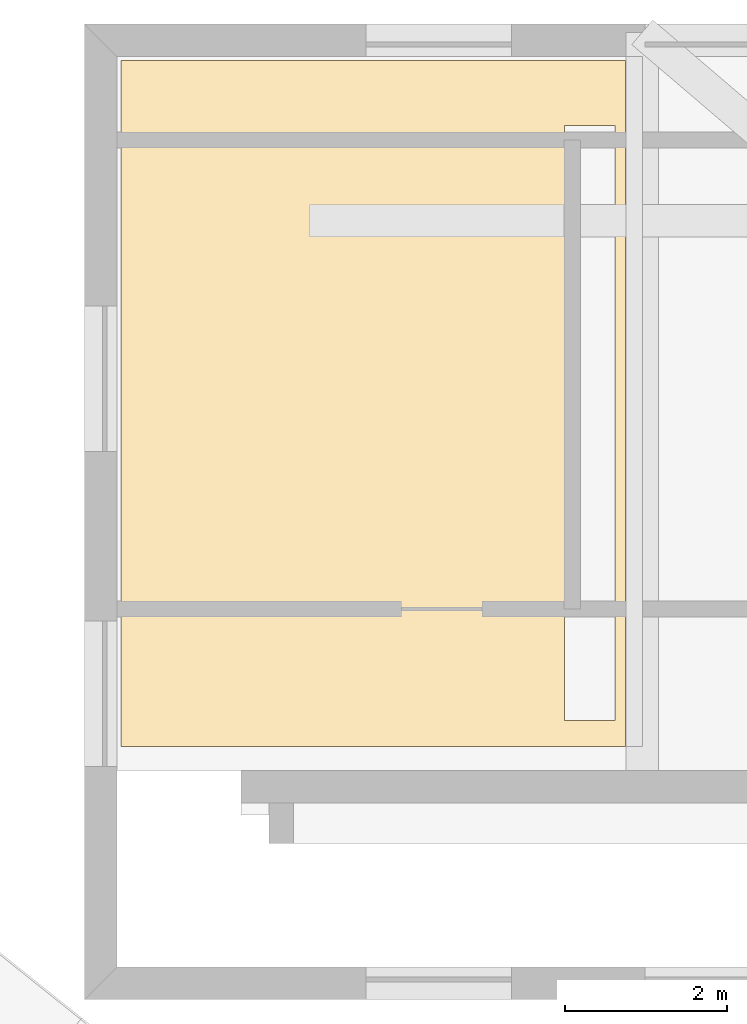
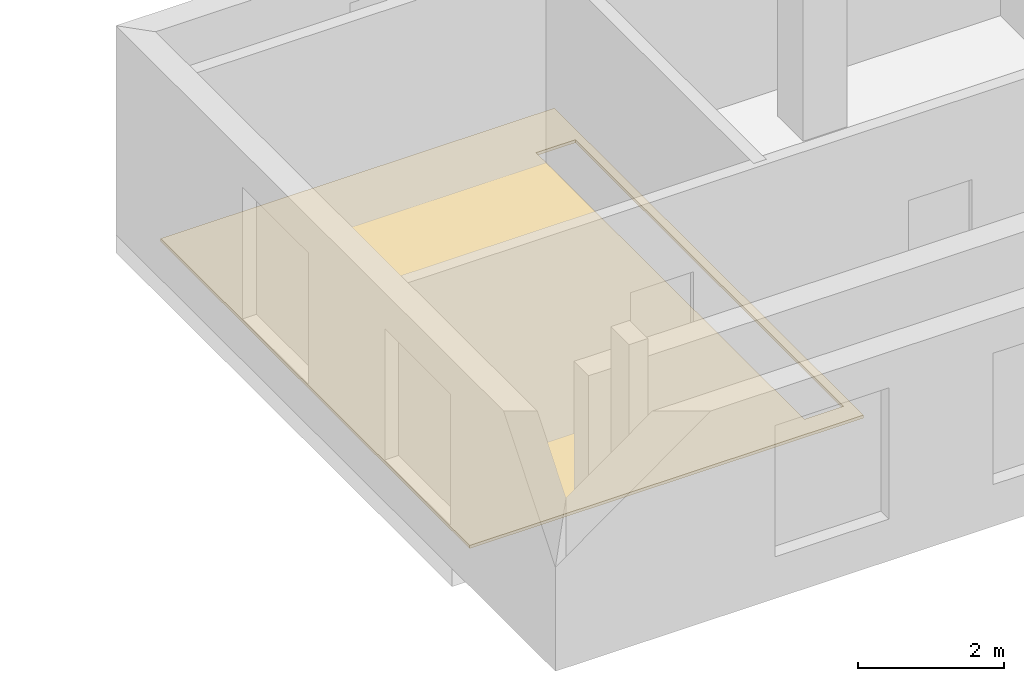
# One storey, part 6 of 6: 1 covering.
"""IFC4 building model written with IfcOpenShell, lengths in metres."""

from ifc_helpers import new_model, si_unit, direction, frame, origin, place, context, subcontext, project, spatial, polyline, outline, extrude, material, layer, layer_set, type_object, element, save


model = new_model("IFC4")

# Units and contexts
model_context = context("Model", 3, precision=1e-05, world=origin(), true_north=direction((0.0, 1.0)))
body_context = subcontext(model_context, "Body", "Model", "MODEL_VIEW")
ifc_project = project(units=[si_unit("LENGTHUNIT", "METRE"), si_unit("AREAUNIT", "SQUARE_METRE"), si_unit("VOLUMEUNIT", "CUBIC_METRE"), si_unit("PLANEANGLEUNIT", "RADIAN"), si_unit("MASSUNIT", "GRAM", prefix="KILO")], contexts=[model_context])

# Site, building, storey
site_placement = place(None, origin())
site = spatial("IfcSite", under=ifc_project, at=site_placement, CompositionType="ELEMENT")
building_placement = place(site_placement, origin())
building = spatial("IfcBuilding", under=site, at=building_placement, Name="Windrow Commons", CompositionType="ELEMENT")
storey_placement = place(building_placement, frame((0.0, 0.0, 305.8)))
storey = spatial("IfcBuildingStorey", under=building, at=storey_placement, Name="L83", CompositionType="ELEMENT", Elevation=305.8)

# Covering
ifc_material = material(Name="Granite pavers on waterproofing membrane", Category="masonry")
ifc_layer = layer(ifc_material, 0.05)
ifc_layer_set = layer_set([ifc_layer], Name="Terrace roofing 50")
covering_type = type_object("IfcCoveringType", Name="Terrace roofing 50", PredefinedType="ROOFING", material=ifc_layer_set)
covering_placement = place(storey_placement, origin())
element("IfcCovering", 1, at=covering_placement, inside=storey, type_object=covering_type, Name="Terrace roofing TR-L83-1", PredefinedType="ROOFING", context=body_context, shape_type="SweptSolid", body=[
    extrude(outline(polyline([(62.817, 65.5), (62.817, 73.983), (69.057, 73.983), (69.057, 65.5), (62.817, 65.5)]), holes=[polyline([(68.927, 73.183), (68.307, 73.183), (68.307, 65.82), (68.927, 65.82), (68.927, 73.183)])]), origin(), (0.0, 0.0, 1.0), 0.05),
])

save(model, "model.ifc")
